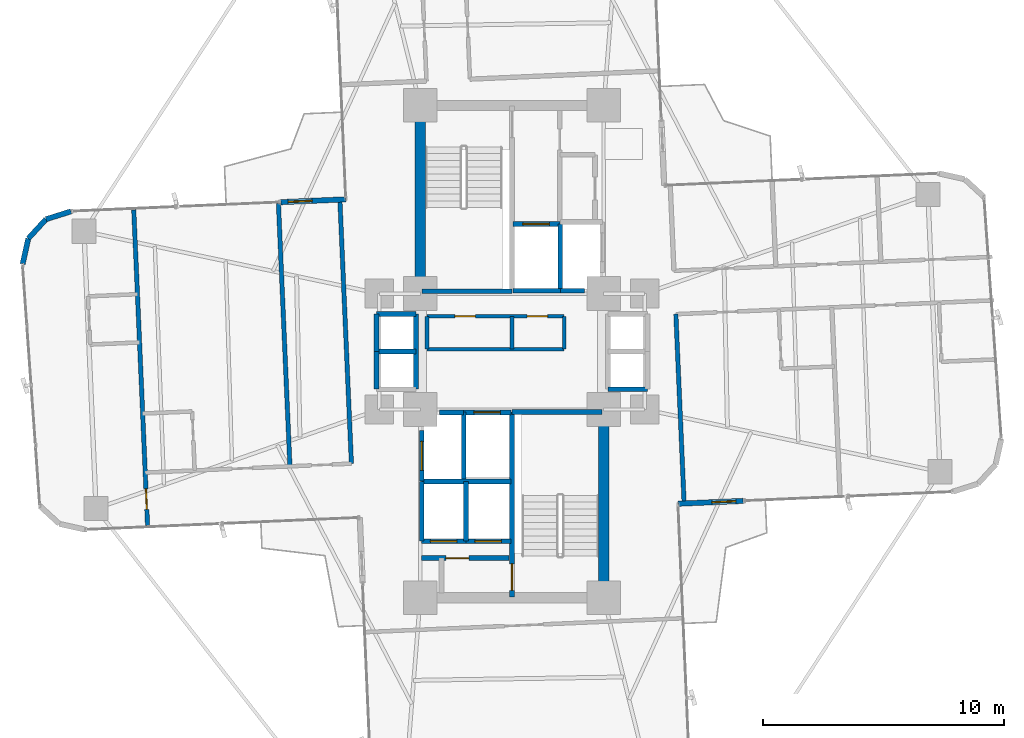
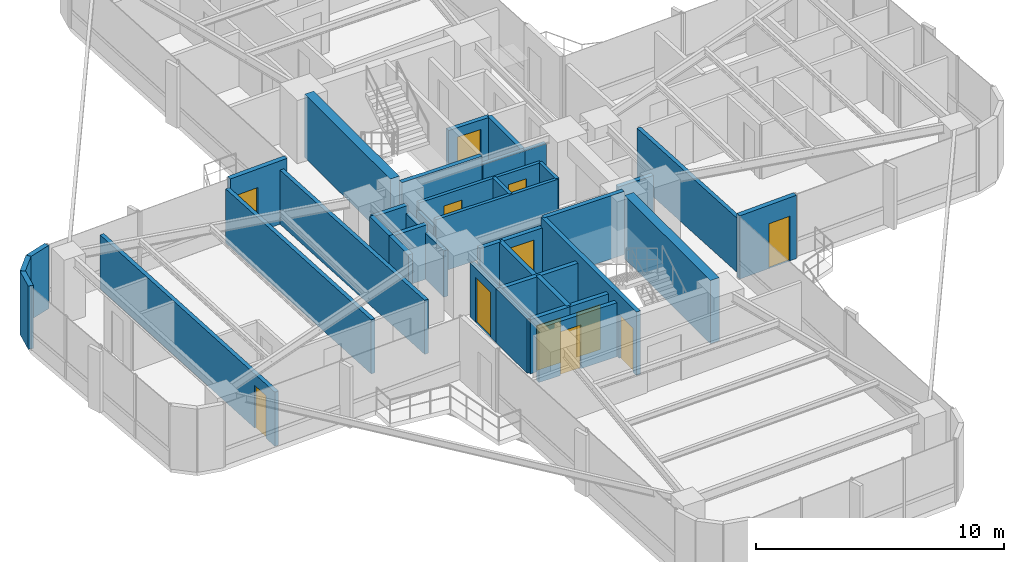
# One storey, part 23 of 26: 39 walls, 12 doors, 12 openings.
"""IFC4 building model written with IfcOpenShell, lengths in metres."""

from ifc_helpers import new_model, si_unit, direction, frame, frame_2d, origin, origin_2d, place, context, subcontext, project, spatial, rectangle, extrude, source, transform, mapped, material, layer, layer_set, type_object, element, fill, save


model = new_model("IFC4")

# Units and contexts
model_context = context("Model", 3, precision=1e-05, world=origin(), true_north=direction((0.0, 1.0)))
body_context = subcontext(model_context, "Body", "Model", "MODEL_VIEW")
ifc_project = project(units=[si_unit("LENGTHUNIT", "METRE"), si_unit("AREAUNIT", "SQUARE_METRE"), si_unit("VOLUMEUNIT", "CUBIC_METRE"), si_unit("PLANEANGLEUNIT", "RADIAN"), si_unit("MASSUNIT", "GRAM", prefix="KILO")], contexts=[model_context])

# Site, building, storey
site_placement = place(None, origin())
site = spatial("IfcSite", under=ifc_project, at=site_placement, CompositionType="ELEMENT")
building_placement = place(site_placement, origin())
building = spatial("IfcBuilding", under=site, at=building_placement, Name="Sahyath Konkavel Grand Hotel", CompositionType="ELEMENT")
storey_placement = place(building_placement, frame((0.0, 0.0, 83.5)))
storey = spatial("IfcBuildingStorey", under=building, at=storey_placement, Name="L22", CompositionType="ELEMENT", Elevation=83.5)

# Walls
ifc_material_1 = material(Name="Concrete C50/60", Category="concrete")
ifc_layer_1 = layer(ifc_material_1, 0.419921875)
ifc_layer_set_1 = layer_set([ifc_layer_1], Name="Concrete C50/60")
wall_type_1 = type_object("IfcWallType", Name="CWALL-420", PredefinedType="SHEAR", material=ifc_layer_set_1)
for number, where, z_axis, x_axis, name in (
    (1, (-3.800048828125, 2.85009765625, 0.0), (0.0, 0.0, 1.0), (0.0, 1.0, 0.0), "L22 North Core Shear Wall W"),
    (2, (3.800048828125, -9.75, 0.0), (0.0, 0.0, 1.0), (0.0, 1.0, 0.0), "L22 South Core Shear Wall E"),
):
    element("IfcWall", number, at=place(storey_placement, frame(where, z_axis=z_axis, x_axis=x_axis)), inside=storey, type_object=wall_type_1, Name=name, PredefinedType="SHEAR", context=body_context, shape_type="SweptSolid", body=[
        extrude(rectangle(XDim=6.89990234375, YDim=0.419921875, at=frame_2d((3.449951171875, 0.0))), origin(), (0.0, 0.0, 1.0), 3.110107421875),
    ])

# Wall, opening, door
ifc_material_2 = material(Name="Warm Buff Sandstone Insulated Concrete C40/50", Category="masonry")
ifc_layer_2 = layer(ifc_material_2, 0.219970703125)
ifc_layer_set_2 = layer_set([ifc_layer_2], Name="Warm Buff Sandstone Insulated Concrete C40/50")
wall_type_2 = type_object("IfcWallType", Name="WLL-BALC-THRESH", PredefinedType="STANDARD", material=ifc_layer_set_2)
wall_1_placement = place(storey_placement, frame((6.881591796875, -6.305908203125, 0.0), z_axis=(0.0, 0.0, 1.0), x_axis=(0.999045894436, 0.043672655174, 0.0)))
wall_1 = element("IfcWall", 3, at=wall_1_placement, inside=storey, type_object=wall_type_2, Name="L22 Winter-Garden Threshold Wall 0", PredefinedType="STANDARD", context=body_context, shape_type="SweptSolid", body=[
    extrude(rectangle(XDim=2.7001953125, YDim=0.219970703125, at=frame_2d((1.35009765625, 0.0))), origin(), (0.0, 0.0, 1.0), 3.110107421875),
])
opening_1_placement = place(wall_1_placement, frame((1.39990234375, 0.0, 0.0)))
opening_1 = element("IfcOpeningElement", 4, at=opening_1_placement, cuts=wall_1, Name="Opening D-TR1", PredefinedType="OPENING", context=body_context, shape_type="SweptSolid", body=[
    extrude(rectangle(XDim=1.0, YDim=2.199951171875, at=frame_2d((0.5, 1.10009765625))), frame((0.0, 0.1201171875, 0.0), z_axis=(0.0, -1.0, 0.0), x_axis=(1.0, 0.0, 0.0)), (0.0, 0.0, 1.0), 0.239990234375),
])
ifc_material_3 = material(Name="Anodised Bronze Aluminium & Low-E Glazing", Category="aluminium")
door_type_1 = type_object("IfcDoorType", Name="DR-TERRACE-1000", OperationType="NOTDEFINED", PredefinedType="DOOR", material=ifc_material_3)
shared_shape_1 = source(origin(), body_context, "Body", "SweptSolid", [
    extrude(rectangle(XDim=1.0, YDim=0.050048828125, at=origin_2d()), origin(), (0.0, 0.0, 1.0), 2.199951171875),
])
door_1_placement = place(opening_1_placement, frame((0.5, 0.0, 0.0)))
door_1 = element("IfcDoor", 5, at=door_1_placement, inside=storey, type_object=door_type_1, Name="L22 Winter-Garden Terrace Door 0", OperationType="SINGLE_SWING_LEFT", OverallHeight=2.199951171875, OverallWidth=1.0, PredefinedType="DOOR", context=body_context, shape_type="MappedRepresentation", body=[
    mapped(shared_shape_1, transform((0.0, 0.0, 0.0), scale=1.0)),
])
fill(opening_1, door_1)

wall_2_placement = place(storey_placement, frame((-6.881591796875, 6.305908203125, 0.0), z_axis=(0.0, 0.0, 1.0), x_axis=(-0.999045894436, -0.043672655174, 0.0)))
wall_2 = element("IfcWall", 6, at=wall_2_placement, inside=storey, type_object=wall_type_2, Name="L22 Winter-Garden Threshold Wall 16", PredefinedType="STANDARD", context=body_context, shape_type="SweptSolid", body=[
    extrude(rectangle(XDim=2.7001953125, YDim=0.219970703125, at=frame_2d((1.35009765625, 0.0))), origin(), (0.0, 0.0, 1.0), 3.110107421875),
])
opening_2_placement = place(wall_2_placement, frame((1.39990234375, 0.0, 0.0)))
opening_2 = element("IfcOpeningElement", 7, at=opening_2_placement, cuts=wall_2, Name="Opening D-TR1", PredefinedType="OPENING", context=body_context, shape_type="SweptSolid", body=[
    extrude(rectangle(XDim=1.0, YDim=2.199951171875, at=frame_2d((0.5, 1.10009765625))), frame((0.0, 0.1201171875, 0.0), z_axis=(0.0, -1.0, 0.0), x_axis=(1.0, 0.0, 0.0)), (0.0, 0.0, 1.0), 0.239990234375),
])
door_2_placement = place(opening_2_placement, frame((0.5, 0.0, 0.0)))
door_2 = element("IfcDoor", 8, at=door_2_placement, inside=storey, type_object=door_type_1, Name="L22 Winter-Garden Terrace Door 16", OperationType="SINGLE_SWING_LEFT", OverallHeight=2.199951171875, OverallWidth=1.0, PredefinedType="DOOR", context=body_context, shape_type="MappedRepresentation", body=[
    mapped(shared_shape_1, transform((0.0, 0.0, 0.0), scale=1.0)),
])
fill(opening_2, door_2)

# Walls
for number, where, z_axis, x_axis, name in (
    (9, (-18.270751953125, 5.80859375, 0.0), (0.0, 0.0, 1.0), (-0.953721713582, -0.30069069331, 0.0), "L22 Rounded Corner Sandstone Pier 17"),
    (10, (-19.3076171875, 5.481689453125, 0.0), (0.0, 0.0, 1.0), (-0.675551721847, -0.737312600672, 0.0), "L22 Rounded Corner Sandstone Pier 18"),
):
    element("IfcWall", number, at=place(storey_placement, frame(where, z_axis=z_axis, x_axis=x_axis)), inside=storey, type_object=wall_type_2, Name=name, PredefinedType="STANDARD", context=body_context, shape_type="SweptSolid", body=[
        extrude(rectangle(XDim=1.087158203125, YDim=0.219970703125, at=frame_2d((0.54345703125, 0.0))), origin(), (0.0, 0.0, 1.0), 3.110107421875),
    ])
wall_3_placement = place(storey_placement, frame((-20.0419921875, 4.68017578125, 0.0), z_axis=(0.0, 0.0, 1.0), x_axis=(-0.216288323511, -0.976329535102, 0.0)))
element("IfcWall", 11, at=wall_3_placement, inside=storey, type_object=wall_type_2, Name="L22 Rounded Corner Sandstone Pier 19", PredefinedType="STANDARD", context=body_context, shape_type="SweptSolid", body=[
    extrude(rectangle(XDim=1.0869140625, YDim=0.219970703125, at=frame_2d((0.54345703125, 0.0))), origin(), (0.0, 0.0, 1.0), 3.110107421875),
])
ifc_material_4 = material(Name="Concrete C40/50", Category="concrete")
ifc_layer_3 = layer(ifc_material_4, 0.199951171875)
ifc_layer_set_3 = layer_set([ifc_layer_3], Name="Concrete C40/50")
wall_type_3 = type_object("IfcWallType", Name="WLL-CORE-200", PredefinedType="SOLIDWALL", material=ifc_layer_set_3)
wall_4_placement = place(storey_placement, frame((-3.719970703125, 2.5, 0.0), z_axis=(0.0, 0.0, 1.0), x_axis=(1.0, 0.0, 0.0)))
element("IfcWall", 12, at=wall_4_placement, inside=storey, type_object=wall_type_3, Name="L22 Stair ST-1 Shaft Wall S", PredefinedType="SOLIDWALL", context=body_context, shape_type="SweptSolid", body=[
    extrude(rectangle(XDim=3.719970703125, YDim=0.199951171875, at=frame_2d((1.85986328125, 0.0))), origin(), (0.0, 0.0, 1.0), 3.110107421875),
])

# Wall, opening, door
wall_5_placement = place(storey_placement, frame((0.0, -10.179931640625, 0.0), z_axis=(0.0, 0.0, 1.0), x_axis=(0.0, 1.0, 0.0)))
wall_5 = element("IfcWall", 13, at=wall_5_placement, inside=storey, type_object=wall_type_3, Name="L22 Stair ST-2 Shaft Wall W", PredefinedType="SOLIDWALL", context=body_context, shape_type="SweptSolid", body=[
    extrude(rectangle(XDim=7.679931640625, YDim=0.199951171875, at=frame_2d((3.83984375, 0.0))), origin(), (0.0, 0.0, 1.0), 3.110107421875),
])
opening_3_placement = place(wall_5_placement, frame((0.280029296875, 0.0, 0.0)))
opening_3 = element("IfcOpeningElement", 14, at=opening_3_placement, cuts=wall_5, Name="Opening D-F12B", PredefinedType="OPENING", context=body_context, shape_type="SweptSolid", body=[
    extrude(rectangle(XDim=1.10009765625, YDim=2.14990234375, at=frame_2d((0.550048828125, 1.074951171875))), frame((0.0, 0.10986328125, 0.0), z_axis=(0.0, -1.0, 0.0), x_axis=(1.0, 0.0, 0.0)), (0.0, 0.0, 1.0), 0.219970703125),
])
ifc_material_5 = material(Name="Steel E350 Smokeproof Fire Door", Category="steel")
door_type_2 = type_object("IfcDoorType", Name="DR-FD120-1100", OperationType="NOTDEFINED", PredefinedType="DOOR", material=ifc_material_5)
shared_shape_2 = source(origin(), body_context, "Body", "SweptSolid", [
    extrude(rectangle(XDim=1.10009765625, YDim=0.050048828125, at=origin_2d()), origin(), (0.0, 0.0, 1.0), 2.14990234375),
])
door_3_placement = place(opening_3_placement, frame((0.550048828125, 0.0, 0.0)))
door_3 = element("IfcDoor", 15, at=door_3_placement, inside=storey, type_object=door_type_2, Name="L22 Stair ST-2 Fire Door", OperationType="SINGLE_SWING_LEFT", OverallHeight=2.14990234375, OverallWidth=1.10009765625, PredefinedType="DOOR", context=body_context, shape_type="MappedRepresentation", body=[
    mapped(shared_shape_2, transform((0.0, 0.0, 0.0), scale=1.0)),
])
fill(opening_3, door_3)

# Walls
wall_6_placement = place(storey_placement, frame((0.0, -2.5, 0.0), z_axis=(0.0, 0.0, 1.0), x_axis=(1.0, 0.0, 0.0)))
element("IfcWall", 16, at=wall_6_placement, inside=storey, type_object=wall_type_3, Name="L22 Stair ST-2 Shaft Wall N", PredefinedType="SOLIDWALL", context=body_context, shape_type="SweptSolid", body=[
    extrude(rectangle(XDim=3.719970703125, YDim=0.199951171875, at=frame_2d((1.85986328125, 0.0))), origin(), (0.0, 0.0, 1.0), 3.110107421875),
])
wall_7_placement = place(storey_placement, frame((2.0, 2.5, 0.0), z_axis=(0.0, 0.0, 1.0), x_axis=(0.0, 1.0, 0.0)))
element("IfcWall", 17, at=wall_7_placement, inside=storey, type_object=wall_type_3, Name="L22 Partition SH-FFL1-E", PredefinedType="SOLIDWALL", context=body_context, shape_type="SweptSolid", body=[
    extrude(rectangle(XDim=2.780029296875, YDim=0.199951171875, at=frame_2d((1.39013671875, 0.0))), origin(), (0.0, 0.0, 1.0), 2.659912109375),
])
wall_8_placement = place(storey_placement, frame((0.050048828125, 2.52001953125, 0.0), z_axis=(0.0, 0.0, 1.0), x_axis=(1.0, 0.0, 0.0)))
element("IfcWall", 18, at=wall_8_placement, inside=storey, type_object=wall_type_3, Name="L22 Partition SH-FFL1-S", PredefinedType="SOLIDWALL", context=body_context, shape_type="SweptSolid", body=[
    extrude(rectangle(XDim=1.949951171875, YDim=0.199951171875, at=frame_2d((0.97509765625, 0.0))), origin(), (0.0, 0.0, 1.0), 2.659912109375),
])

# Wall, opening, door
wall_9_placement = place(storey_placement, frame((0.050048828125, 5.280029296875, 0.0), z_axis=(0.0, 0.0, 1.0), x_axis=(1.0, 0.0, 0.0)))
wall_9 = element("IfcWall", 19, at=wall_9_placement, inside=storey, type_object=wall_type_3, Name="L22 Partition SH-FFL1-N", PredefinedType="SOLIDWALL", context=body_context, shape_type="SweptSolid", body=[
    extrude(rectangle(XDim=1.929931640625, YDim=0.199951171875, at=frame_2d((0.96484375, 0.0))), origin(), (0.0, 0.0, 1.0), 2.659912109375),
])
opening_4_placement = place(wall_9_placement, frame((0.39990234375, 0.0, 0.0)))
opening_4 = element("IfcOpeningElement", 20, at=opening_4_placement, cuts=wall_9, Name="Opening LD-11", PredefinedType="OPENING", context=body_context, shape_type="SweptSolid", body=[
    extrude(rectangle(XDim=1.10009765625, YDim=2.199951171875, at=frame_2d((0.550048828125, 1.10009765625))), frame((0.0, 0.10986328125, 0.0), z_axis=(0.0, -1.0, 0.0), x_axis=(1.0, 0.0, 0.0)), (0.0, 0.0, 1.0), 0.219970703125),
])
ifc_material_6 = material(Name="Bronze Lift Landing Door 1100")
door_type_3 = type_object("IfcDoorType", Name="DR-LIFT-1100", OperationType="DOUBLE_DOOR_SLIDING", PredefinedType="DOOR", material=ifc_material_6)
shared_shape_3 = source(origin(), body_context, "Body", "SweptSolid", [
    extrude(rectangle(XDim=1.10009765625, YDim=0.050048828125, at=origin_2d()), origin(), (0.0, 0.0, 1.0), 2.199951171875),
])
door_4_placement = place(opening_4_placement, frame((0.550048828125, 0.0, 0.0)))
door_4 = element("IfcDoor", 21, at=door_4_placement, inside=storey, type_object=door_type_3, Name="L22 Lift FFL-1 Landing Door", OperationType="DOUBLE_DOOR_SLIDING", OverallHeight=2.199951171875, OverallWidth=1.10009765625, PredefinedType="DOOR", context=body_context, shape_type="MappedRepresentation", body=[
    mapped(shared_shape_3, transform((0.0, 0.0, 0.0), scale=1.0)),
])
fill(opening_4, door_4)

# Wall
wall_10_placement = place(storey_placement, frame((-2.0, -5.280029296875, 0.0), z_axis=(0.0, 0.0, 1.0), x_axis=(0.0, 1.0, 0.0)))
element("IfcWall", 22, at=wall_10_placement, inside=storey, type_object=wall_type_3, Name="L22 Partition SH-FFL2-W", PredefinedType="SOLIDWALL", context=body_context, shape_type="SweptSolid", body=[
    extrude(rectangle(XDim=2.780029296875, YDim=0.199951171875, at=frame_2d((1.39013671875, 0.0))), origin(), (0.0, 0.0, 1.0), 2.659912109375),
])

# Wall, opening, door
wall_11_placement = place(storey_placement, frame((-2.0, -2.52001953125, 0.0), z_axis=(0.0, 0.0, 1.0), x_axis=(1.0, 0.0, 0.0)))
wall_11 = element("IfcWall", 23, at=wall_11_placement, inside=storey, type_object=wall_type_3, Name="L22 Partition SH-FFL2-N", PredefinedType="SOLIDWALL", context=body_context, shape_type="SweptSolid", body=[
    extrude(rectangle(XDim=1.949951171875, YDim=0.199951171875, at=frame_2d((0.97509765625, 0.0))), origin(), (0.0, 0.0, 1.0), 2.659912109375),
])
opening_5_placement = place(wall_11_placement, frame((0.419921875, 0.0, 0.0)))
opening_5 = element("IfcOpeningElement", 24, at=opening_5_placement, cuts=wall_11, Name="Opening LD-11", PredefinedType="OPENING", context=body_context, shape_type="SweptSolid", body=[
    extrude(rectangle(XDim=1.10009765625, YDim=2.199951171875, at=frame_2d((0.550048828125, 1.10009765625))), frame((0.0, 0.10986328125, 0.0), z_axis=(0.0, -1.0, 0.0), x_axis=(1.0, 0.0, 0.0)), (0.0, 0.0, 1.0), 0.219970703125),
])
door_5_placement = place(opening_5_placement, frame((0.550048828125, 0.0, 0.0)))
door_5 = element("IfcDoor", 25, at=door_5_placement, inside=storey, type_object=door_type_3, Name="L22 Lift FFL-2 Landing Door", OperationType="DOUBLE_DOOR_SLIDING", OverallHeight=2.199951171875, OverallWidth=1.10009765625, PredefinedType="DOOR", context=body_context, shape_type="MappedRepresentation", body=[
    mapped(shared_shape_3, transform((0.0, 0.0, 0.0), scale=1.0)),
])
fill(opening_5, door_5)

# Walls
for number, where, z_axis, x_axis, name in (
    (26, (2.0, 2.52001953125, 0.0), (0.0, 0.0, 1.0), (1.0, 0.0, 0.0), "L22 Partition SH-SVL1-S"),
    (27, (-3.0, -2.52001953125, 0.0), (0.0, 0.0, 1.0), (1.0, 0.0, 0.0), "L22 Partition SH-SVL2-N"),
):
    element("IfcWall", number, at=place(storey_placement, frame(where, z_axis=z_axis, x_axis=x_axis)), inside=storey, type_object=wall_type_3, Name=name, PredefinedType="SOLIDWALL", context=body_context, shape_type="SweptSolid", body=[
        extrude(rectangle(XDim=1.0, YDim=0.199951171875, at=frame_2d((0.5, 0.0))), origin(), (0.0, 0.0, 1.0), 2.659912109375),
    ])

# Wall, opening, door
wall_12_placement = place(storey_placement, frame((-3.739990234375, -5.360107421875, 0.0), z_axis=(0.0, 0.0, 1.0), x_axis=(0.0, 1.0, 0.0)))
wall_12 = element("IfcWall", 28, at=wall_12_placement, inside=storey, type_object=wall_type_3, Name="L22 Partition SH-SVL2-W", PredefinedType="SOLIDWALL", context=body_context, shape_type="SweptSolid", body=[
    extrude(rectangle(XDim=2.080078125, YDim=0.199951171875, at=frame_2d((1.0400390625, 0.0))), origin(), (0.0, 0.0, 1.0), 2.659912109375),
])
opening_6_placement = place(wall_12_placement, frame((0.43994140625, 0.0, 0.0)))
opening_6 = element("IfcOpeningElement", 29, at=opening_6_placement, cuts=wall_12, Name="Opening LD-12", PredefinedType="OPENING", context=body_context, shape_type="SweptSolid", body=[
    extrude(rectangle(XDim=1.199951171875, YDim=2.199951171875, at=frame_2d((0.60009765625, 1.10009765625))), frame((0.0, 0.10986328125, 0.0), z_axis=(0.0, -1.0, 0.0), x_axis=(1.0, 0.0, 0.0)), (0.0, 0.0, 1.0), 0.219970703125),
])
ifc_material_7 = material(Name="Stainless Steel Lift Landing Door 1200", Category="steel")
door_type_4 = type_object("IfcDoorType", Name="DR-LIFT-1200", OperationType="DOUBLE_DOOR_SLIDING", PredefinedType="DOOR", material=ifc_material_7)
shared_shape_4 = source(origin(), body_context, "Body", "SweptSolid", [
    extrude(rectangle(XDim=1.199951171875, YDim=0.050048828125, at=origin_2d()), origin(), (0.0, 0.0, 1.0), 2.199951171875),
])
door_6_placement = place(opening_6_placement, frame((0.60009765625, 0.0, 0.0)))
door_6 = element("IfcDoor", 30, at=door_6_placement, inside=storey, type_object=door_type_4, Name="L22 Service Lift SVL-2 Landing Door", OperationType="DOUBLE_DOOR_SLIDING", OverallHeight=2.199951171875, OverallWidth=1.199951171875, PredefinedType="DOOR", context=body_context, shape_type="MappedRepresentation", body=[
    mapped(shared_shape_4, transform((0.0, 0.0, 0.0), scale=1.0)),
])
fill(opening_6, door_6)

# Wall
wall_13_placement = place(storey_placement, frame((-3.739990234375, -7.860107421875, 0.0), z_axis=(0.0, 0.0, 1.0), x_axis=(0.0, 1.0, 0.0)))
element("IfcWall", 31, at=wall_13_placement, inside=storey, type_object=wall_type_3, Name="L22 Partition SH-PL3-W", PredefinedType="SOLIDWALL", context=body_context, shape_type="SweptSolid", body=[
    extrude(rectangle(XDim=2.480224609375, YDim=0.199951171875, at=frame_2d((1.240234375, 0.0))), origin(), (0.0, 0.0, 1.0), 2.659912109375),
])

# Wall, opening, door
wall_14_placement = place(storey_placement, frame((-3.739990234375, -7.860107421875, 0.0), z_axis=(0.0, 0.0, 1.0), x_axis=(1.0, 0.0, 0.0)))
wall_14 = element("IfcWall", 32, at=wall_14_placement, inside=storey, type_object=wall_type_3, Name="L22 Partition SH-PL3-S", PredefinedType="SOLIDWALL", context=body_context, shape_type="SweptSolid", body=[
    extrude(rectangle(XDim=1.840087890625, YDim=0.199951171875, at=frame_2d((0.919921875, 0.0))), origin(), (0.0, 0.0, 1.0), 2.659912109375),
])
opening_7_placement = place(wall_14_placement, frame((0.360107421875, 0.0, 0.0)))
opening_7 = element("IfcOpeningElement", 33, at=opening_7_placement, cuts=wall_14, Name="Opening LD-11", PredefinedType="OPENING", context=body_context, shape_type="SweptSolid", body=[
    extrude(rectangle(XDim=1.10009765625, YDim=2.199951171875, at=frame_2d((0.550048828125, 1.10009765625))), frame((0.0, 0.10986328125, 0.0), z_axis=(0.0, -1.0, 0.0), x_axis=(1.0, 0.0, 0.0)), (0.0, 0.0, 1.0), 0.219970703125),
])
door_7_placement = place(opening_7_placement, frame((0.550048828125, 0.0, 0.0)))
door_7 = element("IfcDoor", 34, at=door_7_placement, inside=storey, type_object=door_type_3, Name="L22 Passenger Lift PL-3 Landing Door", OperationType="DOUBLE_DOOR_SLIDING", OverallHeight=2.199951171875, OverallWidth=1.10009765625, PredefinedType="DOOR", context=body_context, shape_type="MappedRepresentation", body=[
    mapped(shared_shape_3, transform((0.0, 0.0, 0.0), scale=1.0)),
])
fill(opening_7, door_7)

# Walls
wall_15_placement = place(storey_placement, frame((-3.739990234375, -5.3798828125, 0.0), z_axis=(0.0, 0.0, 1.0), x_axis=(1.0, 0.0, 0.0)))
element("IfcWall", 35, at=wall_15_placement, inside=storey, type_object=wall_type_3, Name="L22 Partition SH-PL34-N", PredefinedType="SOLIDWALL", context=body_context, shape_type="SweptSolid", body=[
    extrude(rectangle(XDim=3.68994140625, YDim=0.199951171875, at=frame_2d((1.844970703125, 0.0))), origin(), (0.0, 0.0, 1.0), 2.659912109375),
])
wall_16_placement = place(storey_placement, frame((-1.89990234375, -7.860107421875, 0.0), z_axis=(0.0, 0.0, 1.0), x_axis=(0.0, 1.0, 0.0)))
element("IfcWall", 36, at=wall_16_placement, inside=storey, type_object=wall_type_3, Name="L22 Partition SH-PL34-M", PredefinedType="SOLIDWALL", context=body_context, shape_type="SweptSolid", body=[
    extrude(rectangle(XDim=2.480224609375, YDim=0.199951171875, at=frame_2d((1.240234375, 0.0))), origin(), (0.0, 0.0, 1.0), 2.659912109375),
])

# Wall, opening, door
wall_17_placement = place(storey_placement, frame((-1.89990234375, -7.860107421875, 0.0), z_axis=(0.0, 0.0, 1.0), x_axis=(1.0, 0.0, 0.0)))
wall_17 = element("IfcWall", 37, at=wall_17_placement, inside=storey, type_object=wall_type_3, Name="L22 Partition SH-PL4-S", PredefinedType="SOLIDWALL", context=body_context, shape_type="SweptSolid", body=[
    extrude(rectangle(XDim=1.849853515625, YDim=0.199951171875, at=frame_2d((0.9248046875, 0.0))), origin(), (0.0, 0.0, 1.0), 2.659912109375),
])
opening_8_placement = place(wall_17_placement, frame((0.360107421875, 0.0, 0.0)))
opening_8 = element("IfcOpeningElement", 38, at=opening_8_placement, cuts=wall_17, Name="Opening LD-11", PredefinedType="OPENING", context=body_context, shape_type="SweptSolid", body=[
    extrude(rectangle(XDim=1.10009765625, YDim=2.199951171875, at=frame_2d((0.550048828125, 1.10009765625))), frame((0.0, 0.10986328125, 0.0), z_axis=(0.0, -1.0, 0.0), x_axis=(1.0, 0.0, 0.0)), (0.0, 0.0, 1.0), 0.219970703125),
])
door_8_placement = place(opening_8_placement, frame((0.550048828125, 0.0, 0.0)))
door_8 = element("IfcDoor", 39, at=door_8_placement, inside=storey, type_object=door_type_3, Name="L22 Passenger Lift PL-4 Landing Door", OperationType="DOUBLE_DOOR_SLIDING", OverallHeight=2.199951171875, OverallWidth=1.10009765625, PredefinedType="DOOR", context=body_context, shape_type="MappedRepresentation", body=[
    mapped(shared_shape_3, transform((0.0, 0.0, 0.0), scale=1.0)),
])
fill(opening_8, door_8)

# Walls
wall_18_placement = place(storey_placement, frame((3.97998046875, -1.56005859375, 0.0), z_axis=(0.0, 0.0, 1.0), x_axis=(1.0, 0.0, 0.0)))
element("IfcWall", 40, at=wall_18_placement, inside=storey, type_object=wall_type_3, Name="L22 Partition SH-PL56-S", PredefinedType="SOLIDWALL", context=body_context, shape_type="SweptSolid", body=[
    extrude(rectangle(XDim=1.64013671875, YDim=0.199951171875, at=frame_2d((0.820068359375, 0.0))), origin(), (0.0, 0.0, 1.0), 2.659912109375),
])
wall_19_placement = place(storey_placement, frame((-3.97998046875, -1.56005859375, 0.0), z_axis=(0.0, 0.0, 1.0), x_axis=(0.0, 1.0, 0.0)))
element("IfcWall", 41, at=wall_19_placement, inside=storey, type_object=wall_type_3, Name="L22 Partition SH-SL12-E", PredefinedType="SOLIDWALL", context=body_context, shape_type="SweptSolid", body=[
    extrude(rectangle(XDim=3.1201171875, YDim=0.199951171875, at=frame_2d((1.56005859375, 0.0))), origin(), (0.0, 0.0, 1.0), 2.280029296875),
])
for number, where, z_axis, x_axis, name in (
    (42, (-5.6201171875, 1.56005859375, 0.0), (0.0, 0.0, 1.0), (1.0, 0.0, 0.0), "L22 Partition SH-SL12-N"),
    (43, (-5.6201171875, 0.0, 0.0), (0.0, 0.0, 1.0), (1.0, 0.0, 0.0), "L22 Partition SH-SL12-M"),
):
    element("IfcWall", number, at=place(storey_placement, frame(where, z_axis=z_axis, x_axis=x_axis)), inside=storey, type_object=wall_type_3, Name=name, PredefinedType="SOLIDWALL", context=body_context, shape_type="SweptSolid", body=[
        extrude(rectangle(XDim=1.64013671875, YDim=0.199951171875, at=frame_2d((0.820068359375, 0.0))), origin(), (0.0, 0.0, 1.0), 2.659912109375),
    ])
for number, where, z_axis, x_axis, name in (
    (44, (-5.6201171875, 0.0, 0.0), (0.0, 0.0, 1.0), (0.0, 1.0, 0.0), "L22 Partition SH-SL1-W"),
    (45, (-5.6201171875, -1.56005859375, 0.0), (0.0, 0.0, 1.0), (0.0, 1.0, 0.0), "L22 Partition SH-SL2-W"),
):
    element("IfcWall", number, at=place(storey_placement, frame(where, z_axis=z_axis, x_axis=x_axis)), inside=storey, type_object=wall_type_3, Name=name, PredefinedType="SOLIDWALL", context=body_context, shape_type="SweptSolid", body=[
        extrude(rectangle(XDim=1.56005859375, YDim=0.199951171875, at=frame_2d((0.780029296875, 0.0))), origin(), (0.0, 0.0, 1.0), 2.659912109375),
    ])

# Wall, opening, door
wall_20_placement = place(storey_placement, frame((-3.739990234375, -8.56005859375, 0.0), z_axis=(0.0, 0.0, 1.0), x_axis=(1.0, 0.0, 0.0)))
wall_20 = element("IfcWall", 46, at=wall_20_placement, inside=storey, type_object=wall_type_3, Name="L22 South FF Lobby Separation Wall", PredefinedType="SOLIDWALL", context=body_context, shape_type="SweptSolid", body=[
    extrude(rectangle(XDim=3.619873046875, YDim=0.199951171875, at=frame_2d((1.81005859375, 0.0))), origin(), (0.0, 0.0, 1.0), 2.659912109375),
])
opening_9_placement = place(wall_20_placement, frame((1.0, 0.0, 0.0)))
opening_9 = element("IfcOpeningElement", 47, at=opening_9_placement, cuts=wall_20, Name="Opening D-F12C", PredefinedType="OPENING", context=body_context, shape_type="SweptSolid", body=[
    extrude(rectangle(XDim=0.949951171875, YDim=2.14990234375, at=frame_2d((0.47509765625, 1.074951171875))), frame((0.0, 0.10986328125, 0.0), z_axis=(0.0, -1.0, 0.0), x_axis=(1.0, 0.0, 0.0)), (0.0, 0.0, 1.0), 0.219970703125),
])
ifc_material_8 = material(Name="Steel E350 Plant Fire Door", Category="steel")
door_type_5 = type_object("IfcDoorType", Name="DR-FD120-950", OperationType="NOTDEFINED", PredefinedType="DOOR", material=ifc_material_8)
shared_shape_5 = source(origin(), body_context, "Body", "SweptSolid", [
    extrude(rectangle(XDim=0.949951171875, YDim=0.050048828125, at=origin_2d()), origin(), (0.0, 0.0, 1.0), 2.14990234375),
])
door_9_placement = place(opening_9_placement, frame((0.47509765625, 0.0, 0.0)))
door_9 = element("IfcDoor", 48, at=door_9_placement, inside=storey, type_object=door_type_5, Name="L22 South Firefighting Lobby Door", OperationType="SINGLE_SWING_RIGHT", OverallHeight=2.14990234375, OverallWidth=0.949951171875, PredefinedType="DOOR", context=body_context, shape_type="MappedRepresentation", body=[
    mapped(shared_shape_5, transform((0.0, 0.0, 0.0), scale=1.0)),
])
fill(opening_9, door_9)

# Walls
ifc_material_9 = material(Name="Twin-Stud Acoustic Gypsum Plasterboard Partition")
ifc_layer_4 = layer(ifc_material_9, 0.179931640625)
ifc_layer_set_4 = layer_set([ifc_layer_4], Name="Twin-Stud Acoustic Gypsum Plasterboard Partition")
wall_type_4 = type_object("IfcWallType", Name="WLL-DEMISE-180", PredefinedType="PARTITIONING", material=ifc_layer_set_4)
wall_21_placement = place(storey_placement, frame((7.129150390625, -6.2451171875, 0.0), z_axis=(0.0, 0.0, 1.0), x_axis=(-0.043600217373, 0.999049058378, 0.0)))
element("IfcWall", 49, at=wall_21_placement, inside=storey, type_object=wall_type_4, Name="L22 Partition E-INR", PredefinedType="PARTITIONING", context=body_context, shape_type="SweptSolid", body=[
    extrude(rectangle(XDim=7.800048828125, YDim=0.179931640625, at=frame_2d((3.89990234375, 0.0))), origin(), (0.0, 0.0, 1.0), 2.659912109375),
])
wall_22_placement = place(storey_placement, frame((-7.129150390625, 6.2451171875, 0.0), z_axis=(0.0, 0.0, 1.0), x_axis=(0.043608291235, -0.999048705988, 0.0)))
element("IfcWall", 50, at=wall_22_placement, inside=storey, type_object=wall_type_4, Name="L22 Partition W-G5I", PredefinedType="PARTITIONING", context=body_context, shape_type="SweptSolid", body=[
    extrude(rectangle(XDim=10.900146484375, YDim=0.179931640625, at=frame_2d((5.4501953125, 0.0))), origin(), (0.0, 0.0, 1.0), 2.659912109375),
])
wall_23_placement = place(storey_placement, frame((-9.201416015625, -4.755859375, 0.0), z_axis=(0.0, 0.0, 1.0), x_axis=(-0.043609267053, 0.999048663393, 0.0)))
element("IfcWall", 51, at=wall_23_placement, inside=storey, type_object=wall_type_4, Name="L22 Partition W-WHK-DEM", PredefinedType="PARTITIONING", context=body_context, shape_type="SweptSolid", body=[
    extrude(rectangle(XDim=10.89990234375, YDim=0.179931640625, at=frame_2d((5.449951171875, 0.0))), origin(), (0.0, 0.0, 1.0), 2.659912109375),
])

# Wall, opening, door
wall_24_placement = place(storey_placement, frame((-15.6708984375, 5.8720703125, 0.0), z_axis=(0.0, 0.0, 1.0), x_axis=(0.043609488494, -0.999048653727, 0.0)))
wall_24 = element("IfcWall", 52, at=wall_24_placement, inside=storey, type_object=wall_type_4, Name="L22 Partition W-WTIP-END", PredefinedType="PARTITIONING", context=body_context, shape_type="SweptSolid", body=[
    extrude(rectangle(XDim=13.10009765625, YDim=0.179931640625, at=frame_2d((6.550048828125, 0.0))), origin(), (0.0, 0.0, 1.0), 2.659912109375),
])
opening_10_placement = place(wall_24_placement, frame((11.574951171875, 0.0, 0.0)))
opening_10 = element("IfcOpeningElement", 53, at=opening_10_placement, cuts=wall_24, Name="Opening D-F06D", PredefinedType="OPENING", context=body_context, shape_type="SweptSolid", body=[
    extrude(rectangle(XDim=0.85009765625, YDim=2.10009765625, at=frame_2d((0.425048828125, 1.050048828125))), frame((0.0, 0.10009765625, 0.0), z_axis=(0.0, -1.0, 0.0), x_axis=(1.0, 0.0, 0.0)), (0.0, 0.0, 1.0), 0.199951171875),
])
ifc_material_10 = material(Name="Fire-Rated Shaft Access Door")
door_type_6 = type_object("IfcDoorType", Name="DR-FD60-850", OperationType="NOTDEFINED", PredefinedType="DOOR", material=ifc_material_10)
shared_shape_6 = source(origin(), body_context, "Body", "SweptSolid", [
    extrude(rectangle(XDim=0.85009765625, YDim=0.050048828125, at=origin_2d()), origin(), (0.0, 0.0, 1.0), 2.10009765625),
])
door_10_placement = place(opening_10_placement, frame((0.425048828125, 0.0, 0.0)))
door_10 = element("IfcDoor", 54, at=door_10_placement, inside=storey, type_object=door_type_6, Name="L22 Door W-WTIP-ED", OperationType="SINGLE_SWING_RIGHT", OverallHeight=2.10009765625, OverallWidth=0.85009765625, PredefinedType="DOOR", context=body_context, shape_type="MappedRepresentation", body=[
    mapped(shared_shape_6, transform((0.0, 0.0, 0.0), scale=1.0)),
])
fill(opening_10, door_10)

# Wall
ifc_material_11 = material(Name="Fire-Rated Gypsum Plasterboard Partition")
ifc_layer_5 = layer(ifc_material_11, 0.14990234375)
ifc_layer_set_5 = layer_set([ifc_layer_5], Name="Fire-Rated Gypsum Plasterboard Partition")
wall_type_5 = type_object("IfcWallType", Name="WLL-PART-150", PredefinedType="PARTITIONING", material=ifc_layer_set_5)
wall_25_placement = place(storey_placement, frame((-3.52001953125, 0.10009765625, 0.0), z_axis=(0.0, 0.0, 1.0), x_axis=(1.0, 0.0, 0.0)))
element("IfcWall", 55, at=wall_25_placement, inside=storey, type_object=wall_type_5, Name="L22 Partition CC-S0-FIX", PredefinedType="PARTITIONING", context=body_context, shape_type="SweptSolid", body=[
    extrude(rectangle(XDim=5.679931640625, YDim=0.14990234375, at=frame_2d((2.83984375, 0.0))), origin(), (0.0, 0.0, 1.0), 2.659912109375),
])

# Wall, openings, doors
wall_26_placement = place(storey_placement, frame((-3.52001953125, 1.4599609375, 0.0), z_axis=(0.0, 0.0, 1.0), x_axis=(1.0, 0.0, 0.0)))
wall_26 = element("IfcWall", 56, at=wall_26_placement, inside=storey, type_object=wall_type_5, Name="L22 Partition CC-N0", PredefinedType="PARTITIONING", context=body_context, shape_type="SweptSolid", body=[
    extrude(rectangle(XDim=5.679931640625, YDim=0.14990234375, at=frame_2d((2.83984375, 0.0))), origin(), (0.0, 0.0, 1.0), 2.659912109375),
])
opening_11_placement = place(wall_26_placement, frame((1.14990234375, 0.0, 0.0)))
opening_11 = element("IfcOpeningElement", 57, at=opening_11_placement, cuts=wall_26, Name="Opening D-F06D", PredefinedType="OPENING", context=body_context, shape_type="SweptSolid", body=[
    extrude(rectangle(XDim=0.85009765625, YDim=2.10009765625, at=frame_2d((0.425048828125, 1.050048828125))), frame((0.0, 0.0849609375, 0.0), z_axis=(0.0, -1.0, 0.0), x_axis=(1.0, 0.0, 0.0)), (0.0, 0.0, 1.0), 0.169921875),
])
opening_12_placement = place(wall_26_placement, frame((4.14990234375, 0.0, 0.0)))
opening_12 = element("IfcOpeningElement", 58, at=opening_12_placement, cuts=wall_26, Name="Opening D-F06D", PredefinedType="OPENING", context=body_context, shape_type="SweptSolid", body=[
    extrude(rectangle(XDim=0.85009765625, YDim=2.10009765625, at=frame_2d((0.425048828125, 1.050048828125))), frame((0.0, 0.0849609375, 0.0), z_axis=(0.0, -1.0, 0.0), x_axis=(1.0, 0.0, 0.0)), (0.0, 0.0, 1.0), 0.169921875),
])
door_11_placement = place(opening_11_placement, frame((0.425048828125, 0.0, 0.0)))
door_11 = element("IfcDoor", 59, at=door_11_placement, inside=storey, type_object=door_type_6, Name="L22 Door CC-D0A", OperationType="SINGLE_SWING_RIGHT", OverallHeight=2.10009765625, OverallWidth=0.85009765625, PredefinedType="DOOR", context=body_context, shape_type="MappedRepresentation", body=[
    mapped(shared_shape_6, transform((0.0, 0.0, 0.0), scale=1.0)),
])
fill(opening_11, door_11)
door_12_placement = place(opening_12_placement, frame((0.425048828125, 0.0, 0.0)))
door_12 = element("IfcDoor", 60, at=door_12_placement, inside=storey, type_object=door_type_6, Name="L22 Door CC-D0B", OperationType="SINGLE_SWING_LEFT", OverallHeight=2.10009765625, OverallWidth=0.85009765625, PredefinedType="DOOR", context=body_context, shape_type="MappedRepresentation", body=[
    mapped(shared_shape_6, transform((0.0, 0.0, 0.0), scale=1.0)),
])
fill(opening_12, door_12)

# Walls
wall_27_placement = place(storey_placement, frame((-3.52001953125, 0.10009765625, 0.0), z_axis=(0.0, 0.0, 1.0), x_axis=(0.0, 1.0, 0.0)))
element("IfcWall", 61, at=wall_27_placement, inside=storey, type_object=wall_type_5, Name="L22 Partition CC-W0", PredefinedType="PARTITIONING", context=body_context, shape_type="SweptSolid", body=[
    extrude(rectangle(XDim=1.35986328125, YDim=0.14990234375, at=frame_2d((0.679931640625, 0.0))), origin(), (0.0, 0.0, 1.0), 2.280029296875),
])
for number, where, z_axis, x_axis, name in (
    (62, (2.159912109375, 0.10009765625, 0.0), (0.0, 0.0, 1.0), (0.0, 1.0, 0.0), "L22 Partition CC-E0"),
    (63, (0.0, 0.10009765625, 0.0), (0.0, 0.0, 1.0), (0.0, 1.0, 0.0), "L22 Partition CC-M0"),
):
    element("IfcWall", number, at=place(storey_placement, frame(where, z_axis=z_axis, x_axis=x_axis)), inside=storey, type_object=wall_type_5, Name=name, PredefinedType="PARTITIONING", context=body_context, shape_type="SweptSolid", body=[
        extrude(rectangle(XDim=1.35986328125, YDim=0.14990234375, at=frame_2d((0.679931640625, 0.0))), origin(), (0.0, 0.0, 1.0), 2.659912109375),
    ])

save(model, "model.ifc")
